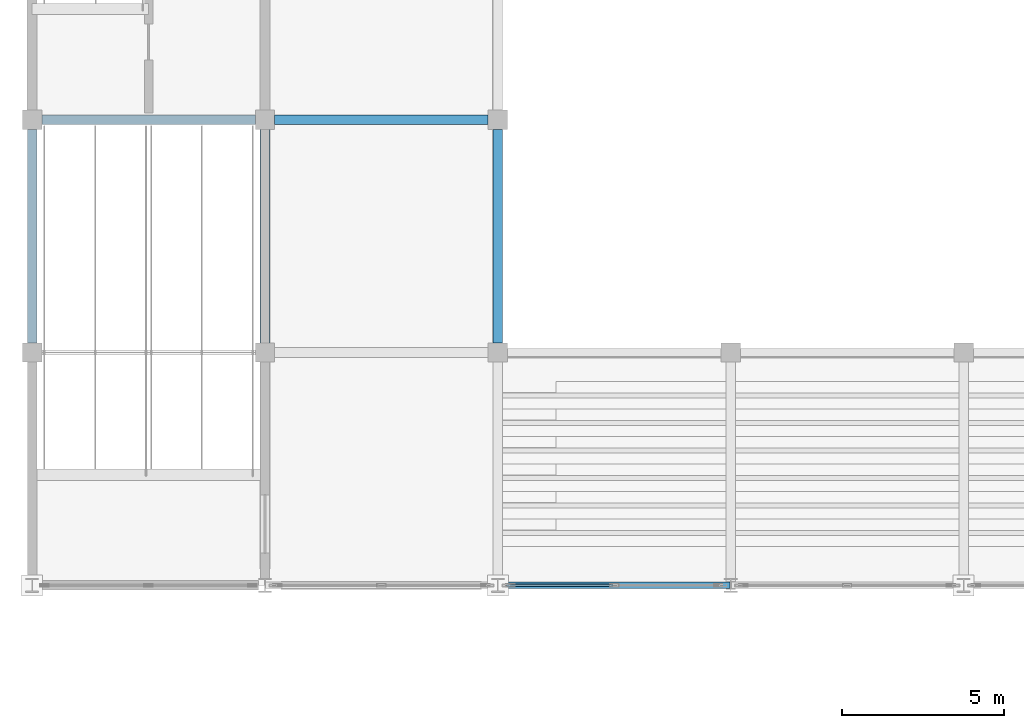
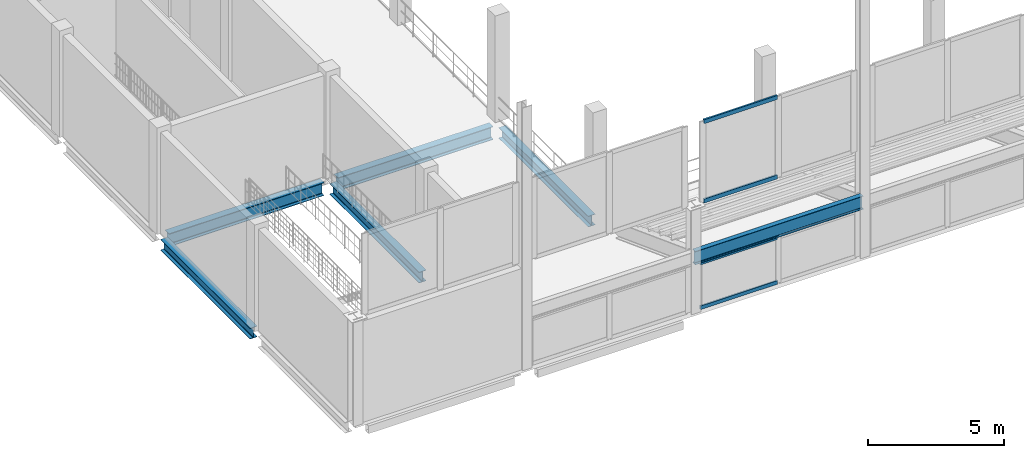
# One storey, part 19 of 120: 6 beams, 4 members, 2 elements without a shape of their own.
"""IFC4 building model written with IfcOpenShell, lengths in metres."""

import ifcopenshell
import ifcopenshell.guid

model = None  # the IFC model being written
_history = None  # IfcOwnerHistory: only IFC2X3 demands one
_inside = {}  # id of a spatial element -> (the spatial element, [elements in it])
_under = {}  # id of a project, library or spatial element -> (it, [spatial elements below it])
_declared = {}  # id of a project -> (the project, [libraries it declares])
_typed = {}  # id of a type object -> (the type object, [elements of that type])
_made_of = {}  # id of a material, layer set ... -> (it, [elements and type objects made of it])


def new_model(schema):
    """Start an empty IFC model of exactly this schema.

    Asked for "IFC4X3", IfcOpenShell would pick the latest addendum, in which some entities
    have other attributes; the version numbers below select the first issue.
    IFC2X3 requires an IfcOwnerHistory on every rooted entity: one is made here for all.
    """
    global model, _history
    if schema == "IFC4X3":
        model = ifcopenshell.file(schema_version=(4, 3, 0, 0))
    else:
        model = ifcopenshell.file(schema=schema)
    _inside.clear()
    _under.clear()
    _declared.clear()
    _typed.clear()
    _made_of.clear()
    _history = None
    if model.schema == "IFC2X3":
        org = make("IfcOrganization", Name="unknown")
        user = make(
            "IfcPersonAndOrganization",
            ThePerson=make("IfcPerson", FamilyName="unknown"),
            TheOrganization=org,
        )
        app = make(
            "IfcApplication",
            ApplicationDeveloper=org,
            Version="unknown",
            ApplicationFullName="unknown",
            ApplicationIdentifier="unknown",
        )
        _history = make(
            "IfcOwnerHistory",
            OwningUser=user,
            OwningApplication=app,
            ChangeAction="ADDED",
            CreationDate=0,
        )
    return model


def make(cls, **values):
    """One entity of the class cls with the attributes given. An attribute that is None is left unset."""
    return model.create_entity(
        cls, **{name: value for name, value in values.items() if value is not None}
    )


def rooted(cls, **values):
    """An entity with a GlobalId (a new one), such as an element, a storey or a relation."""
    return make(cls, GlobalId=ifcopenshell.guid.new(), OwnerHistory=_history, **values)


def si_unit(unit_type, name, prefix=None):
    """IfcSIUnit, for example si_unit("LENGTHUNIT", "METRE", prefix="MILLI")."""
    return make("IfcSIUnit", UnitType=unit_type, Prefix=prefix, Name=name)


def assignment(units):
    """IfcUnitAssignment: the units of a project."""
    return None if units is None else make("IfcUnitAssignment", Units=units)


def point(xyz):
    """IfcCartesianPoint."""
    return None if xyz is None else make("IfcCartesianPoint", Coordinates=xyz)


def direction(xyz):
    """IfcDirection."""
    return None if xyz is None else make("IfcDirection", DirectionRatios=xyz)


def frame(location, z_axis=None, x_axis=None):
    """IfcAxis2Placement3D, a coordinate frame: its origin and axes. An axis left out is left unset."""
    return make(
        "IfcAxis2Placement3D",
        Location=point(location),
        Axis=direction(z_axis),
        RefDirection=direction(x_axis),
    )


def frame_2d(location, x_axis=None):
    """IfcAxis2Placement2D, a coordinate frame in the plane: its origin and x axis."""
    return make(
        "IfcAxis2Placement2D", Location=point(location), RefDirection=direction(x_axis)
    )


def origin():
    """The frame at (0, 0, 0) with its axes left unset."""
    return frame((0.0, 0.0, 0.0))


def origin_2d():
    """The frame at (0, 0) in the plane with its x axis left unset."""
    return frame_2d((0.0, 0.0))


def place(relative_to, where):
    """IfcLocalPlacement: puts the frame where relative to a parent placement (None: the world)."""
    return make(
        "IfcLocalPlacement", PlacementRelTo=relative_to, RelativePlacement=where
    )


def context(
    kind, dimensions, precision=None, world=None, true_north=None, identifier=None
):
    """IfcGeometricRepresentationContext, for example the 3D "Model" context."""
    return make(
        "IfcGeometricRepresentationContext",
        ContextIdentifier=identifier,
        ContextType=kind,
        CoordinateSpaceDimension=dimensions,
        Precision=precision,
        WorldCoordinateSystem=world,
        TrueNorth=true_north,
    )


def subcontext(parent, identifier, kind, view, scale=None):
    """IfcGeometricRepresentationSubContext, for example "Body" below "Model"."""
    return make(
        "IfcGeometricRepresentationSubContext",
        ContextIdentifier=identifier,
        ContextType=kind,
        ParentContext=parent,
        TargetScale=scale,
        TargetView=view,
    )


def project(units=None, contexts=None):
    """IfcProject with its units and contexts."""
    return rooted(
        "IfcProject",
        Name="project",
        RepresentationContexts=contexts,
        UnitsInContext=assignment(units),
    )


def spatial(cls, under=None, at=None, **own):
    """A site, building, storey or space (cls), placed at a placement, below another one or the project."""
    s = rooted(cls, ObjectPlacement=at, **own)
    if under is not None:
        _under.setdefault(under.id(), (under, []))[1].append(s)
    return s


def profile(cls, at=None, kind="AREA", **sizes):
    """A parametric profile (cls). Its sizes go by their IFC names, for example OverallWidth=200.0."""
    return make(cls, ProfileType=kind, Position=at, **sizes)


def hollow_rectangle(**sizes):
    """IfcRectangleHollowProfileDef."""
    return profile("IfcRectangleHollowProfileDef", **sizes)


def i_section(**sizes):
    """IfcIShapeProfileDef."""
    return profile("IfcIShapeProfileDef", **sizes)


def extrude(swept, where, along, depth):
    """IfcExtrudedAreaSolid: the profile swept, set in the frame where, extruded along a direction by depth."""
    return make(
        "IfcExtrudedAreaSolid",
        SweptArea=swept,
        Position=where,
        ExtrudedDirection=direction(along),
        Depth=depth,
    )


def shape(context_of_items, identifier, shape_type, items):
    """IfcShapeRepresentation: the items that make up one representation, for example the "Body"."""
    return make(
        "IfcShapeRepresentation",
        ContextOfItems=context_of_items,
        RepresentationIdentifier=identifier,
        RepresentationType=shape_type,
        Items=items,
    )


def material(Name=None, Category=None):
    """IfcMaterial."""
    return make("IfcMaterial", Name=Name, Category=Category)


def material_profile(
    of_material, cross_section, Name=None, Category=None, Priority=None
):
    """IfcMaterialProfile: a cross section and its material."""
    return make(
        "IfcMaterialProfile",
        Name=Name,
        Material=of_material,
        Profile=cross_section,
        Priority=Priority,
        Category=Category,
    )


def profile_set(profiles, Name=None, composite=None):
    """IfcMaterialProfileSet."""
    return make(
        "IfcMaterialProfileSet",
        Name=Name,
        MaterialProfiles=profiles,
        CompositeProfile=composite,
    )


def made_of(thing, what):
    """Note that an element or type object is made of a material, layer set ...; save() writes the relation."""
    if what is not None:
        _made_of.setdefault(what.id(), (what, []))[1].append(thing)
    return thing


def type_object(cls, material=None, **own):
    """A type object (cls), such as IfcWallType, which elements share."""
    return made_of(rooted(cls, **own), material)


def element(
    cls,
    number,
    at=None,
    inside=None,
    cuts=None,
    type_object=None,
    material=None,
    context=None,
    identifier="Body",
    shape_type=None,
    held_by="IfcProductDefinitionShape",
    body=None,
    shapes=None,
    **own,
):
    """One element of the class cls, such as IfcWall. Its Tag is "e" and its number.

    at: its placement. inside: the storey or other place that contains it. cuts: it is an
    opening in that element (IfcRelVoidsElement). A single representation is given by context,
    identifier, shape_type and body (its items); several are given by shapes. held_by: the class
    of the entity that holds the representations. save() writes the other relations.
    """
    e = rooted(cls, Tag="e%d" % number, ObjectPlacement=at, **own)
    if body is not None:
        shapes = [shape(context, identifier, shape_type, body)]
    if shapes is not None:
        e.Representation = make(held_by, Representations=shapes)
    if inside is not None:
        _inside.setdefault(inside.id(), (inside, []))[1].append(e)
    if cuts is not None:
        rooted(
            "IfcRelVoidsElement", RelatingBuildingElement=cuts, RelatedOpeningElement=e
        )
    if type_object is not None:
        _typed.setdefault(type_object.id(), (type_object, []))[1].append(e)
    return made_of(e, material)


def aggregate(whole, parts):
    """IfcRelAggregates: a whole, such as a stair, and the parts it consists of."""
    return rooted("IfcRelAggregates", RelatingObject=whole, RelatedObjects=parts)


def save(model, path):
    """Write the relations noted so far, then the file.

    IfcRelAggregates (storeys below a building ...), IfcRelContainedInSpatialStructure (elements
    in a storey), IfcRelDefinesByType, IfcRelAssociatesMaterial and IfcRelDeclares: one each for
    every whole, place, type object, material and project.
    """
    for whole, parts in _under.values():
        aggregate(whole, parts)
    for where, things in _inside.values():
        rooted(
            "IfcRelContainedInSpatialStructure",
            RelatedElements=things,
            RelatingStructure=where,
        )
    for kind, things in _typed.values():
        rooted("IfcRelDefinesByType", RelatedObjects=things, RelatingType=kind)
    for what, things in _made_of.values():
        rooted("IfcRelAssociatesMaterial", RelatedObjects=things, RelatingMaterial=what)
    for by, libraries in _declared.values():
        rooted("IfcRelDeclares", RelatingContext=by, RelatedDefinitions=libraries)
    model.write(path)


model = new_model("IFC4")

# Units and contexts
model_context = context("Model", 3, precision=1e-05, world=origin(), true_north=direction((0.0, 1.0)))
body_context = subcontext(model_context, "Body", "Model", "MODEL_VIEW")
ifc_project = project(units=[si_unit("LENGTHUNIT", "METRE"), si_unit("AREAUNIT", "SQUARE_METRE"), si_unit("VOLUMEUNIT", "CUBIC_METRE"), si_unit("PLANEANGLEUNIT", "RADIAN"), si_unit("MASSUNIT", "GRAM", prefix="KILO")], contexts=[model_context])

# Site, building, storey
site_placement = place(None, origin())
site = spatial("IfcSite", under=ifc_project, at=site_placement, CompositionType="ELEMENT")
building_placement = place(site_placement, origin())
building = spatial("IfcBuilding", under=site, at=building_placement, Name="Vesperath Aquatics Centre", CompositionType="ELEMENT")
storey_placement = place(building_placement, frame((0.0, 0.0, 10.199951171875)))
storey = spatial("IfcBuildingStorey", under=building, at=storey_placement, Name="L02", CompositionType="ELEMENT", Elevation=10.199951171875)

# Beams
ifc_material_1 = material(Name="Steel Q355C", Category="steel")
ifc_material_profile_1 = material_profile(ifc_material_1, i_section(OverallWidth=0.300048828125, OverallDepth=0.587890625, WebThickness=0.011962890625, FlangeThickness=0.02001953125, FilletRadius=0.028076171875, at=origin_2d()), Name="HM 588x300x12x20")
ifc_profile_set_1 = profile_set([ifc_material_profile_1], Name="Steel Q355C")
beam_type_1 = type_object("IfcBeamType", Name="BM-G09", PredefinedType="BEAM", material=ifc_profile_set_1)
beam_1_placement = place(storey_placement, frame((0.300048828125, 28.800048828125, -0.553955078125), z_axis=(1.0, 0.0, 0.0), x_axis=(0.0, 1.0, 0.0)))
element("IfcBeam", 1, at=beam_1_placement, inside=storey, type_object=beam_type_1, Name="Floor Girder B09 L02 E 1-2", PredefinedType="BEAM", context=body_context, shape_type="SweptSolid", body=[
    extrude(i_section(OverallWidth=0.300048828125, OverallDepth=0.587890625, WebThickness=0.011962890625, FlangeThickness=0.02001953125, FilletRadius=0.028076171875, at=origin_2d()), origin(), (0.0, 0.0, 1.0), 6.599853515625),
])
beam_2_placement = place(storey_placement, frame((7.5, 28.800048828125, -0.553955078125), z_axis=(1.0, 0.0, 0.0), x_axis=(0.0, 1.0, 0.0)))
element("IfcBeam", 2, at=beam_2_placement, inside=storey, type_object=beam_type_1, Name="Floor Girder B09 L02 E 2-3", PredefinedType="BEAM", context=body_context, shape_type="SweptSolid", body=[
    extrude(i_section(OverallWidth=0.300048828125, OverallDepth=0.587890625, WebThickness=0.011962890625, FlangeThickness=0.02001953125, FilletRadius=0.028076171875, at=origin_2d()), origin(), (0.0, 0.0, 1.0), 6.60009765625),
])
ifc_material_profile_2 = material_profile(ifc_material_1, i_section(OverallWidth=0.300048828125, OverallDepth=0.488037109375, WebThickness=0.010986328125, FlangeThickness=0.01806640625, FilletRadius=0.02587890625, at=origin_2d()), Name="HM 488x300x11x18")
ifc_profile_set_2 = profile_set([ifc_material_profile_2], Name="Steel Q355C")
beam_type_2 = type_object("IfcBeamType", Name="BM-G10", PredefinedType="BEAM", material=ifc_profile_set_2)
for number, where, z_axis, x_axis, name in (
    (3, (0.0, 21.89990234375, -0.50390625), (0.0, 1.0, 0.0), (-1.0, 0.0, 0.0), "Floor Girder B10 L02 1 D-E"),
    (4, (7.199951171875, 21.89990234375, -0.50390625), (0.0, 1.0, 0.0), (-1.0, 0.0, 0.0), "Floor Girder B10 L02 2 D-E"),
    (5, (14.39990234375, 21.89990234375, -0.50390625), (0.0, 1.0, 0.0), (-1.0, 0.0, 0.0), "Floor Girder B10 L02 3 D-E"),
):
    element("IfcBeam", number, at=place(storey_placement, frame(where, z_axis=z_axis, x_axis=x_axis)), inside=storey, type_object=beam_type_2, Name=name, PredefinedType="BEAM", context=body_context, shape_type="SweptSolid", body=[
        extrude(i_section(OverallWidth=0.300048828125, OverallDepth=0.488037109375, WebThickness=0.010986328125, FlangeThickness=0.01806640625, FilletRadius=0.02587890625, at=origin_2d()), origin(), (0.0, 0.0, 1.0), 6.60009765625),
    ])
ifc_material_2 = material(Name="Steel Q355D", Category="steel")
ifc_material_profile_3 = material_profile(ifc_material_2, i_section(OverallWidth=0.199951171875, OverallDepth=0.60009765625, WebThickness=0.010986328125, FlangeThickness=0.01708984375, FilletRadius=0.02197265625, at=origin_2d()), Name="HN 600x200x11x17")
ifc_profile_set_3 = profile_set([ifc_material_profile_3], Name="Steel Q355D")
beam_type_3 = type_object("IfcBeamType", Name="BM-RKH1", PredefinedType="BEAM", material=ifc_profile_set_3)
beam_3_placement = place(storey_placement, frame((14.419921875, 14.39990234375, 2.400146484375), z_axis=(1.0, 0.0, 0.0), x_axis=(0.0, 1.0, 0.0)))
element("IfcBeam", 6, at=beam_3_placement, inside=storey, type_object=beam_type_3, Name="Upper Bowl Rim Girder RKH1 South 3-4", PredefinedType="BEAM", context=body_context, shape_type="SweptSolid", body=[
    extrude(i_section(OverallWidth=0.199951171875, OverallDepth=0.60009765625, WebThickness=0.010986328125, FlangeThickness=0.01708984375, FilletRadius=0.02197265625, at=origin_2d()), origin(), (0.0, 0.0, 1.0), 7.16015625),
])

# Curtain wall, members
ifc_material_3 = material(Name="Thermally broken anodised bronze aluminium curtain wall", Category="aluminium")
curtain_wall_type_1 = type_object("IfcCurtainWallType", Name="CW-08", PredefinedType="NOTDEFINED", material=ifc_material_3)
curtain_wall_1_placement = place(storey_placement, origin())
curtain_wall_1 = element("IfcCurtainWall", 7, at=curtain_wall_1_placement, inside=storey, type_object=curtain_wall_type_1, Name="Natatorium Gable West Curtain Wall CW08 S-2W", PredefinedType="NOTDEFINED")
ifc_material_4 = material(Name="Thermally broken anodised aluminium", Category="aluminium")
ifc_material_profile_4 = material_profile(ifc_material_4, hollow_rectangle(XDim=0.074951171875, YDim=0.179931640625, WallThickness=0.0048828125, at=origin_2d()), Name="CWT 75x180x5")
ifc_profile_set_4 = profile_set([ifc_material_profile_4], Name="Thermally broken anodised aluminium")
member_type_1 = type_object("IfcMemberType", Name="MB-CWT1", PredefinedType="USERDEFINED", material=ifc_profile_set_4)
member_1_placement = place(storey_placement, frame((14.824951171875, 14.39990234375, 4.78759765625), z_axis=(1.0, 0.0, 0.0), x_axis=(0.0, 1.0, 0.0)))
member_1 = element("IfcMember", 8, at=member_1_placement, type_object=member_type_1, Name="CW08 transom 1.1", ObjectType="TRANSOM", PredefinedType="USERDEFINED", context=body_context, shape_type="SweptSolid", body=[
    extrude(hollow_rectangle(XDim=0.074951171875, YDim=0.179931640625, WallThickness=0.0048828125, at=origin_2d()), origin(), (0.0, 0.0, 1.0), 3.137451171875),
])
member_2_placement = place(storey_placement, frame((14.824951171875, 14.39990234375, 8.362548828125), z_axis=(1.0, 0.0, 0.0), x_axis=(0.0, 1.0, 0.0)))
member_2 = element("IfcMember", 9, at=member_2_placement, type_object=member_type_1, Name="CW08 transom 1.2", ObjectType="TRANSOM", PredefinedType="USERDEFINED", context=body_context, shape_type="SweptSolid", body=[
    extrude(hollow_rectangle(XDim=0.074951171875, YDim=0.179931640625, WallThickness=0.0048828125, at=origin_2d()), origin(), (0.0, 0.0, 1.0), 3.137451171875),
])
aggregate(curtain_wall_1, [member_1, member_2])

curtain_wall_type_2 = type_object("IfcCurtainWallType", Name="CW-06", PredefinedType="NOTDEFINED", material=ifc_material_3)
curtain_wall_2_placement = place(storey_placement, origin())
curtain_wall_2 = element("IfcCurtainWall", 10, at=curtain_wall_2_placement, inside=storey, type_object=curtain_wall_type_2, Name="Facade Curtain Wall CW06 L02_S_02_02", PredefinedType="NOTDEFINED")
ifc_material_profile_5 = material_profile(ifc_material_4, hollow_rectangle(XDim=0.070068359375, YDim=0.159912109375, WallThickness=0.0048828125, at=origin_2d()), Name="CWT 70x160x5")
ifc_profile_set_5 = profile_set([ifc_material_profile_5], Name="Thermally broken anodised aluminium")
member_type_2 = type_object("IfcMemberType", Name="MB-CWT2", PredefinedType="USERDEFINED", material=ifc_profile_set_5)
member_3_placement = place(storey_placement, frame((14.673583984375, 14.39990234375, 0.03515625), z_axis=(1.0, 0.0, 0.0), x_axis=(0.0, 1.0, 0.0)))
member_3 = element("IfcMember", 11, at=member_3_placement, type_object=member_type_2, Name="CW06 transom 1.1", ObjectType="TRANSOM", PredefinedType="USERDEFINED", context=body_context, shape_type="SweptSolid", body=[
    extrude(hollow_rectangle(XDim=0.070068359375, YDim=0.159912109375, WallThickness=0.0048828125, at=origin_2d()), origin(), (0.0, 0.0, 1.0), 3.29150390625),
])
member_4_placement = place(storey_placement, frame((14.673583984375, 14.39990234375, 2.045166015625), z_axis=(1.0, 0.0, 0.0), x_axis=(0.0, 1.0, 0.0)))
member_4 = element("IfcMember", 12, at=member_4_placement, type_object=member_type_2, Name="CW06 transom 1.2", ObjectType="TRANSOM", PredefinedType="USERDEFINED", context=body_context, shape_type="SweptSolid", body=[
    extrude(hollow_rectangle(XDim=0.070068359375, YDim=0.159912109375, WallThickness=0.0048828125, at=origin_2d()), origin(), (0.0, 0.0, 1.0), 3.29150390625),
])
aggregate(curtain_wall_2, [member_3, member_4])

save(model, "model.ifc")
